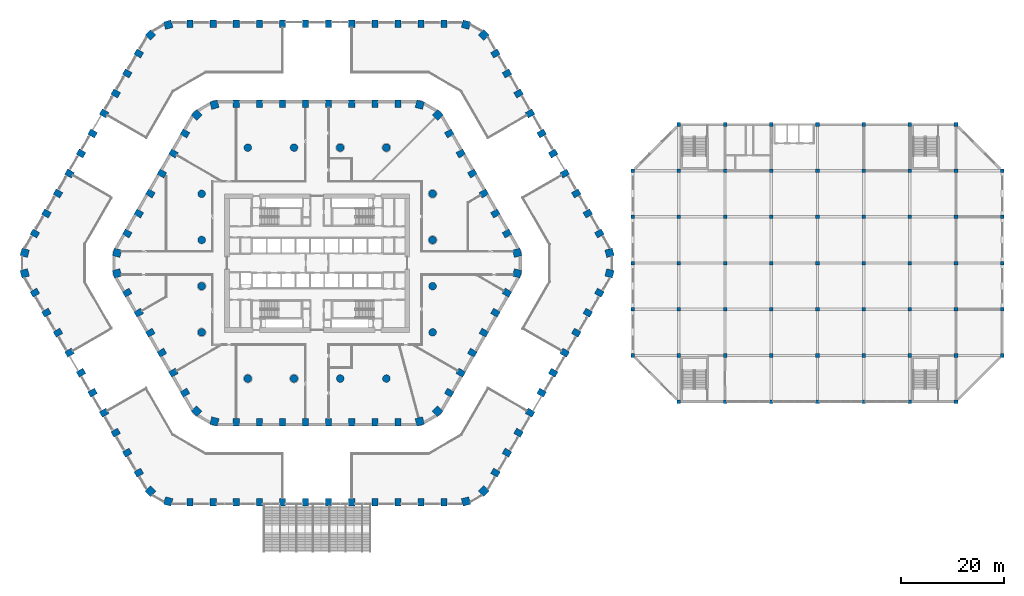
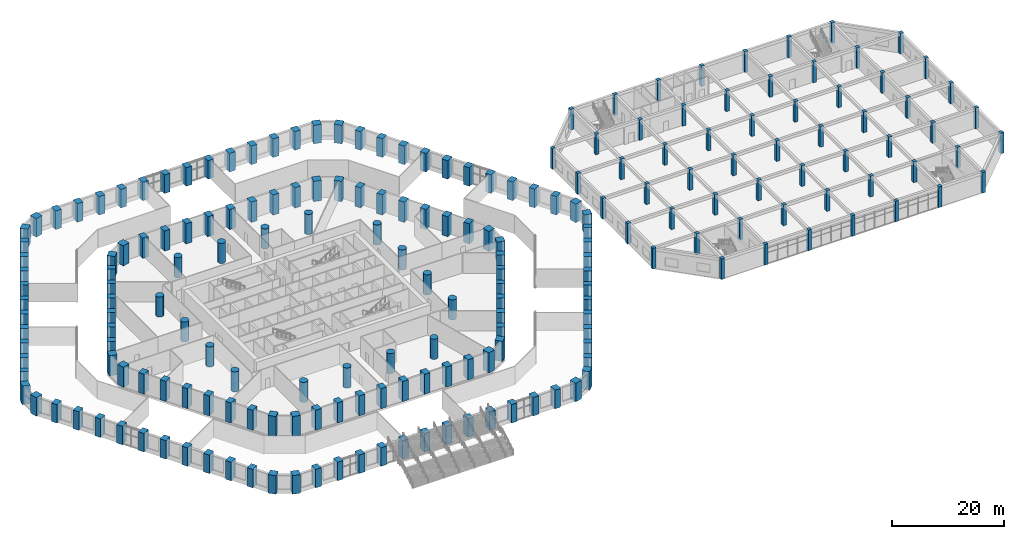
# One storey, part 1 of 42: 203 columns.
"""IFC4 building model written with IfcOpenShell, lengths in metres."""

from ifc_helpers import new_model, si_unit, direction, frame, origin, origin_2d, place, context, subcontext, project, spatial, rectangle, circle, extrude, material, material_profile, profile_set, type_object, element, save


model = new_model("IFC4")

# Units and contexts
model_context = context("Model", 3, precision=1e-05, world=origin(), true_north=direction((0.0, 1.0)))
body_context = subcontext(model_context, "Body", "Model", "MODEL_VIEW")
ifc_project = project(units=[si_unit("LENGTHUNIT", "METRE"), si_unit("AREAUNIT", "SQUARE_METRE"), si_unit("VOLUMEUNIT", "CUBIC_METRE"), si_unit("PLANEANGLEUNIT", "RADIAN"), si_unit("MASSUNIT", "GRAM", prefix="KILO")], contexts=[model_context])

# Site, building, storey
site_placement = place(None, origin())
site = spatial("IfcSite", under=ifc_project, at=site_placement, CompositionType="ELEMENT")
building_placement = place(site_placement, origin())
building = spatial("IfcBuilding", under=site, at=building_placement, Name="Dhurran Vertical Campus", CompositionType="ELEMENT")
storey_placement = place(building_placement, frame((0.0, 0.0, 6.0)))
storey = spatial("IfcBuildingStorey", under=building, at=storey_placement, Name="L01", CompositionType="ELEMENT", Elevation=6.0)

# Columns
ifc_material_1 = material(Name="Concrete C70/85", Category="concrete")
ifc_material_profile_1 = material_profile(ifc_material_1, rectangle(XDim=1.199951171875, YDim=1.5, at=origin_2d()), Name="RC 1200x1500")
ifc_profile_set_1 = profile_set([ifc_material_profile_1], Name="Concrete C70/85")
column_type_1 = type_object("IfcColumnType", Name="FR COL RC 1200x1500 C70/85", PredefinedType="COLUMN", material=ifc_profile_set_1)
for number, where, z_axis, x_axis, name in (
    (1, (-24.75, -46.618408203125, 0.0), (0.0, 0.0, 1.0), (1.0, 0.0, 0.0), "Perimeter pier PO0.01"),
    (2, (-20.25, -46.618408203125, 0.0), (0.0, 0.0, 1.0), (1.0, 0.0, 0.0), "Perimeter pier PO0.02"),
    (3, (-15.75, -46.618408203125, 0.0), (0.0, 0.0, 1.0), (1.0, 0.0, 0.0), "Perimeter pier PO0.03"),
    (4, (-11.25, -46.618408203125, 0.0), (0.0, 0.0, 1.0), (1.0, 0.0, 0.0), "Perimeter pier PO0.04"),
    (5, (-6.75, -46.618408203125, 0.0), (0.0, 0.0, 1.0), (1.0, 0.0, 0.0), "Perimeter pier PO0.05"),
    (6, (-2.25, -46.618408203125, 0.0), (0.0, 0.0, 1.0), (1.0, 0.0, 0.0), "Perimeter pier PO0.06"),
    (7, (2.25, -46.618408203125, 0.0), (0.0, 0.0, 1.0), (1.0, 0.0, 0.0), "Perimeter pier PO0.07"),
    (8, (6.75, -46.618408203125, 0.0), (0.0, 0.0, 1.0), (1.0, 0.0, 0.0), "Perimeter pier PO0.08"),
    (9, (11.25, -46.618408203125, 0.0), (0.0, 0.0, 1.0), (1.0, 0.0, 0.0), "Perimeter pier PO0.09"),
    (10, (15.75, -46.618408203125, 0.0), (0.0, 0.0, 1.0), (1.0, 0.0, 0.0), "Perimeter pier PO0.10"),
    (11, (20.25, -46.618408203125, 0.0), (0.0, 0.0, 1.0), (1.0, 0.0, 0.0), "Perimeter pier PO0.11"),
    (12, (24.75, -46.618408203125, 0.0), (0.0, 0.0, 1.0), (1.0, 0.0, 0.0), "Perimeter pier PO0.12"),
    (13, (34.74755859375, -40.84619140625, 0.0), (0.0, 0.0, 1.0), (0.5, 0.866025403784, 0.0), "Perimeter pier PO0.15"),
    (14, (36.99755859375, -36.948974609375, 0.0), (0.0, 0.0, 1.0), (0.5, 0.866025403784, 0.0), "Perimeter pier PO0.16"),
    (15, (39.24755859375, -33.052001953125, 0.0), (0.0, 0.0, 1.0), (0.5, 0.866025403784, 0.0), "Perimeter pier PO0.17"),
    (16, (41.49755859375, -29.15478515625, 0.0), (0.0, 0.0, 1.0), (0.5, 0.866025403784, 0.0), "Perimeter pier PO0.18"),
    (17, (43.74755859375, -25.2578125, 0.0), (0.0, 0.0, 1.0), (0.5, 0.866025403784, 0.0), "Perimeter pier PO0.19"),
    (18, (45.99755859375, -21.360595703125, 0.0), (0.0, 0.0, 1.0), (0.5, 0.866025403784, 0.0), "Perimeter pier PO0.20"),
    (19, (48.24755859375, -17.46337890625, 0.0), (0.0, 0.0, 1.0), (0.5, 0.866025403784, 0.0), "Perimeter pier PO0.21"),
    (20, (50.49755859375, -13.56640625, 0.0), (0.0, 0.0, 1.0), (0.5, 0.866025403784, 0.0), "Perimeter pier PO0.22"),
    (21, (52.74755859375, -9.669189453125, 0.0), (0.0, 0.0, 1.0), (0.5, 0.866025403784, 0.0), "Perimeter pier PO0.23"),
    (22, (54.99755859375, -5.772216796875, 0.0), (0.0, 0.0, 1.0), (0.5, 0.866025403784, 0.0), "Perimeter pier PO0.24"),
    (23, (54.99755859375, 5.772216796875, 0.0), (0.0, 0.0, 1.0), (-0.5, 0.866025403784, 0.0), "Perimeter pier PO0.27"),
    (24, (52.74755859375, 9.669189453125, 0.0), (0.0, 0.0, 1.0), (-0.5, 0.866025403784, 0.0), "Perimeter pier PO0.28"),
    (25, (50.49755859375, 13.56640625, 0.0), (0.0, 0.0, 1.0), (-0.5, 0.866025403784, 0.0), "Perimeter pier PO0.29"),
    (26, (48.24755859375, 17.46337890625, 0.0), (0.0, 0.0, 1.0), (-0.5, 0.866025403784, 0.0), "Perimeter pier PO0.30"),
    (27, (45.99755859375, 21.360595703125, 0.0), (0.0, 0.0, 1.0), (-0.5, 0.866025403784, 0.0), "Perimeter pier PO0.31"),
    (28, (43.74755859375, 25.2578125, 0.0), (0.0, 0.0, 1.0), (-0.5, 0.866025403784, 0.0), "Perimeter pier PO0.32"),
    (29, (41.49755859375, 29.15478515625, 0.0), (0.0, 0.0, 1.0), (-0.5, 0.866025403784, 0.0), "Perimeter pier PO0.33"),
    (30, (39.24755859375, 33.052001953125, 0.0), (0.0, 0.0, 1.0), (-0.5, 0.866025403784, 0.0), "Perimeter pier PO0.34"),
    (31, (36.99755859375, 36.948974609375, 0.0), (0.0, 0.0, 1.0), (-0.5, 0.866025403784, 0.0), "Perimeter pier PO0.35"),
    (32, (34.74755859375, 40.84619140625, 0.0), (0.0, 0.0, 1.0), (-0.5, 0.866025403784, 0.0), "Perimeter pier PO0.36"),
    (33, (24.75, 46.618408203125, 0.0), (0.0, 0.0, 1.0), (-1.0, 0.0, 0.0), "Perimeter pier PO0.39"),
    (34, (20.25, 46.618408203125, 0.0), (0.0, 0.0, 1.0), (-1.0, 0.0, 0.0), "Perimeter pier PO0.40"),
    (35, (15.75, 46.618408203125, 0.0), (0.0, 0.0, 1.0), (-1.0, 0.0, 0.0), "Perimeter pier PO0.41"),
    (36, (11.25, 46.618408203125, 0.0), (0.0, 0.0, 1.0), (-1.0, 0.0, 0.0), "Perimeter pier PO0.42"),
    (37, (6.75, 46.618408203125, 0.0), (0.0, 0.0, 1.0), (-1.0, 0.0, 0.0), "Perimeter pier PO0.43"),
    (38, (2.25, 46.618408203125, 0.0), (0.0, 0.0, 1.0), (-1.0, 0.0, 0.0), "Perimeter pier PO0.44"),
    (39, (-2.25, 46.618408203125, 0.0), (0.0, 0.0, 1.0), (-1.0, 0.0, 0.0), "Perimeter pier PO0.45"),
    (40, (-6.75, 46.618408203125, 0.0), (0.0, 0.0, 1.0), (-1.0, 0.0, 0.0), "Perimeter pier PO0.46"),
    (41, (-11.25, 46.618408203125, 0.0), (0.0, 0.0, 1.0), (-1.0, 0.0, 0.0), "Perimeter pier PO0.47"),
    (42, (-15.75, 46.618408203125, 0.0), (0.0, 0.0, 1.0), (-1.0, 0.0, 0.0), "Perimeter pier PO0.48"),
    (43, (-20.25, 46.618408203125, 0.0), (0.0, 0.0, 1.0), (-1.0, 0.0, 0.0), "Perimeter pier PO0.49"),
    (44, (-24.75, 46.618408203125, 0.0), (0.0, 0.0, 1.0), (-1.0, 0.0, 0.0), "Perimeter pier PO0.50"),
    (45, (-34.74755859375, 40.84619140625, 0.0), (0.0, 0.0, 1.0), (-0.5, -0.866025403784, 0.0), "Perimeter pier PO0.53"),
    (46, (-36.99755859375, 36.948974609375, 0.0), (0.0, 0.0, 1.0), (-0.5, -0.866025403784, 0.0), "Perimeter pier PO0.54"),
    (47, (-39.24755859375, 33.052001953125, 0.0), (0.0, 0.0, 1.0), (-0.5, -0.866025403784, 0.0), "Perimeter pier PO0.55"),
    (48, (-41.49755859375, 29.15478515625, 0.0), (0.0, 0.0, 1.0), (-0.5, -0.866025403784, 0.0), "Perimeter pier PO0.56"),
    (49, (-43.74755859375, 25.2578125, 0.0), (0.0, 0.0, 1.0), (-0.5, -0.866025403784, 0.0), "Perimeter pier PO0.57"),
    (50, (-45.99755859375, 21.360595703125, 0.0), (0.0, 0.0, 1.0), (-0.5, -0.866025403784, 0.0), "Perimeter pier PO0.58"),
    (51, (-48.24755859375, 17.46337890625, 0.0), (0.0, 0.0, 1.0), (-0.5, -0.866025403784, 0.0), "Perimeter pier PO0.59"),
    (52, (-50.49755859375, 13.56640625, 0.0), (0.0, 0.0, 1.0), (-0.5, -0.866025403784, 0.0), "Perimeter pier PO0.60"),
    (53, (-52.74755859375, 9.669189453125, 0.0), (0.0, 0.0, 1.0), (-0.5, -0.866025403784, 0.0), "Perimeter pier PO0.61"),
    (54, (-54.99755859375, 5.772216796875, 0.0), (0.0, 0.0, 1.0), (-0.5, -0.866025403784, 0.0), "Perimeter pier PO0.62"),
    (55, (-54.99755859375, -5.772216796875, 0.0), (0.0, 0.0, 1.0), (0.5, -0.866025403784, 0.0), "Perimeter pier PO0.65"),
    (56, (-52.74755859375, -9.669189453125, 0.0), (0.0, 0.0, 1.0), (0.5, -0.866025403784, 0.0), "Perimeter pier PO0.66"),
    (57, (-50.49755859375, -13.56640625, 0.0), (0.0, 0.0, 1.0), (0.5, -0.866025403784, 0.0), "Perimeter pier PO0.67"),
    (58, (-48.24755859375, -17.46337890625, 0.0), (0.0, 0.0, 1.0), (0.5, -0.866025403784, 0.0), "Perimeter pier PO0.68"),
    (59, (-45.99755859375, -21.360595703125, 0.0), (0.0, 0.0, 1.0), (0.5, -0.866025403784, 0.0), "Perimeter pier PO0.69"),
    (60, (-43.74755859375, -25.2578125, 0.0), (0.0, 0.0, 1.0), (0.5, -0.866025403784, 0.0), "Perimeter pier PO0.70"),
    (61, (-41.49755859375, -29.15478515625, 0.0), (0.0, 0.0, 1.0), (0.5, -0.866025403784, 0.0), "Perimeter pier PO0.71"),
    (62, (-39.24755859375, -33.052001953125, 0.0), (0.0, 0.0, 1.0), (0.5, -0.866025403784, 0.0), "Perimeter pier PO0.72"),
    (63, (-36.99755859375, -36.948974609375, 0.0), (0.0, 0.0, 1.0), (0.5, -0.866025403784, 0.0), "Perimeter pier PO0.73"),
    (64, (-34.74755859375, -40.84619140625, 0.0), (0.0, 0.0, 1.0), (0.5, -0.866025403784, 0.0), "Perimeter pier PO0.74"),
):
    element("IfcColumn", number, at=place(storey_placement, frame(where, z_axis=z_axis, x_axis=x_axis)), inside=storey, type_object=column_type_1, Name=name, PredefinedType="COLUMN", context=body_context, shape_type="SweptSolid", body=[
        extrude(rectangle(XDim=1.199951171875, YDim=1.5, at=origin_2d()), origin(), (0.0, 0.0, 1.0), 4.050048828125),
    ])
for number, where, z_axis, x_axis, name in (
    (65, (-15.75, -31.02978515625, 0.0), (0.0, 0.0, 1.0), (1.0, 0.0, 0.0), "Perimeter pier PP0.01"),
    (66, (-11.25, -31.02978515625, 0.0), (0.0, 0.0, 1.0), (1.0, 0.0, 0.0), "Perimeter pier PP0.02"),
    (67, (-6.75, -31.02978515625, 0.0), (0.0, 0.0, 1.0), (1.0, 0.0, 0.0), "Perimeter pier PP0.03"),
    (68, (-2.25, -31.02978515625, 0.0), (0.0, 0.0, 1.0), (1.0, 0.0, 0.0), "Perimeter pier PP0.04"),
    (69, (2.25, -31.02978515625, 0.0), (0.0, 0.0, 1.0), (1.0, 0.0, 0.0), "Perimeter pier PP0.05"),
    (70, (6.75, -31.02978515625, 0.0), (0.0, 0.0, 1.0), (1.0, 0.0, 0.0), "Perimeter pier PP0.06"),
    (71, (11.25, -31.02978515625, 0.0), (0.0, 0.0, 1.0), (1.0, 0.0, 0.0), "Perimeter pier PP0.07"),
    (72, (15.75, -31.02978515625, 0.0), (0.0, 0.0, 1.0), (1.0, 0.0, 0.0), "Perimeter pier PP0.08"),
    (73, (25.74755859375, -25.2578125, 0.0), (0.0, 0.0, 1.0), (0.5, 0.866025403784, 0.0), "Perimeter pier PP0.11"),
    (74, (27.99755859375, -21.360595703125, 0.0), (0.0, 0.0, 1.0), (0.5, 0.866025403784, 0.0), "Perimeter pier PP0.12"),
    (75, (30.24755859375, -17.46337890625, 0.0), (0.0, 0.0, 1.0), (0.5, 0.866025403784, 0.0), "Perimeter pier PP0.13"),
    (76, (32.49755859375, -13.56640625, 0.0), (0.0, 0.0, 1.0), (0.5, 0.866025403784, 0.0), "Perimeter pier PP0.14"),
    (77, (34.74755859375, -9.669189453125, 0.0), (0.0, 0.0, 1.0), (0.5, 0.866025403784, 0.0), "Perimeter pier PP0.15"),
    (78, (36.99755859375, -5.772216796875, 0.0), (0.0, 0.0, 1.0), (0.5, 0.866025403784, 0.0), "Perimeter pier PP0.16"),
    (79, (36.99755859375, 5.772216796875, 0.0), (0.0, 0.0, 1.0), (-0.5, 0.866025403784, 0.0), "Perimeter pier PP0.19"),
    (80, (34.74755859375, 9.669189453125, 0.0), (0.0, 0.0, 1.0), (-0.5, 0.866025403784, 0.0), "Perimeter pier PP0.20"),
    (81, (32.49755859375, 13.56640625, 0.0), (0.0, 0.0, 1.0), (-0.5, 0.866025403784, 0.0), "Perimeter pier PP0.21"),
    (82, (30.24755859375, 17.46337890625, 0.0), (0.0, 0.0, 1.0), (-0.5, 0.866025403784, 0.0), "Perimeter pier PP0.22"),
    (83, (27.99755859375, 21.360595703125, 0.0), (0.0, 0.0, 1.0), (-0.5, 0.866025403784, 0.0), "Perimeter pier PP0.23"),
    (84, (25.74755859375, 25.2578125, 0.0), (0.0, 0.0, 1.0), (-0.5, 0.866025403784, 0.0), "Perimeter pier PP0.24"),
    (85, (15.75, 31.02978515625, 0.0), (0.0, 0.0, 1.0), (-1.0, 0.0, 0.0), "Perimeter pier PP0.27"),
    (86, (11.25, 31.02978515625, 0.0), (0.0, 0.0, 1.0), (-1.0, 0.0, 0.0), "Perimeter pier PP0.28"),
    (87, (6.75, 31.02978515625, 0.0), (0.0, 0.0, 1.0), (-1.0, 0.0, 0.0), "Perimeter pier PP0.29"),
    (88, (2.25, 31.02978515625, 0.0), (0.0, 0.0, 1.0), (-1.0, 0.0, 0.0), "Perimeter pier PP0.30"),
    (89, (-2.25, 31.02978515625, 0.0), (0.0, 0.0, 1.0), (-1.0, 0.0, 0.0), "Perimeter pier PP0.31"),
    (90, (-6.75, 31.02978515625, 0.0), (0.0, 0.0, 1.0), (-1.0, 0.0, 0.0), "Perimeter pier PP0.32"),
    (91, (-11.25, 31.02978515625, 0.0), (0.0, 0.0, 1.0), (-1.0, 0.0, 0.0), "Perimeter pier PP0.33"),
    (92, (-15.75, 31.02978515625, 0.0), (0.0, 0.0, 1.0), (-1.0, 0.0, 0.0), "Perimeter pier PP0.34"),
    (93, (-25.74755859375, 25.2578125, 0.0), (0.0, 0.0, 1.0), (-0.5, -0.866025403784, 0.0), "Perimeter pier PP0.37"),
    (94, (-27.99755859375, 21.360595703125, 0.0), (0.0, 0.0, 1.0), (-0.5, -0.866025403784, 0.0), "Perimeter pier PP0.38"),
    (95, (-30.24755859375, 17.46337890625, 0.0), (0.0, 0.0, 1.0), (-0.5, -0.866025403784, 0.0), "Perimeter pier PP0.39"),
    (96, (-32.49755859375, 13.56640625, 0.0), (0.0, 0.0, 1.0), (-0.5, -0.866025403784, 0.0), "Perimeter pier PP0.40"),
    (97, (-34.74755859375, 9.669189453125, 0.0), (0.0, 0.0, 1.0), (-0.5, -0.866025403784, 0.0), "Perimeter pier PP0.41"),
    (98, (-36.99755859375, 5.772216796875, 0.0), (0.0, 0.0, 1.0), (-0.5, -0.866025403784, 0.0), "Perimeter pier PP0.42"),
    (99, (-36.99755859375, -5.772216796875, 0.0), (0.0, 0.0, 1.0), (0.5, -0.866025403784, 0.0), "Perimeter pier PP0.45"),
    (100, (-34.74755859375, -9.669189453125, 0.0), (0.0, 0.0, 1.0), (0.5, -0.866025403784, 0.0), "Perimeter pier PP0.46"),
    (101, (-32.49755859375, -13.56640625, 0.0), (0.0, 0.0, 1.0), (0.5, -0.866025403784, 0.0), "Perimeter pier PP0.47"),
    (102, (-30.24755859375, -17.46337890625, 0.0), (0.0, 0.0, 1.0), (0.5, -0.866025403784, 0.0), "Perimeter pier PP0.48"),
    (103, (-27.99755859375, -21.360595703125, 0.0), (0.0, 0.0, 1.0), (0.5, -0.866025403784, 0.0), "Perimeter pier PP0.49"),
    (104, (-25.74755859375, -25.2578125, 0.0), (0.0, 0.0, 1.0), (0.5, -0.866025403784, 0.0), "Perimeter pier PP0.50"),
):
    element("IfcColumn", number, at=place(storey_placement, frame(where, z_axis=z_axis, x_axis=x_axis)), inside=storey, type_object=column_type_1, Name=name, PredefinedType="COLUMN", context=body_context, shape_type="SweptSolid", body=[
        extrude(rectangle(XDim=1.199951171875, YDim=1.5, at=origin_2d()), origin(), (0.0, 0.0, 1.0), 4.39990234375),
    ])
ifc_material_2 = material(Name="Concrete C70/85", Category="concrete")
ifc_material_profile_2 = material_profile(ifc_material_2, rectangle(XDim=1.5, YDim=1.5, at=origin_2d()), Name="RC 1500x1500")
ifc_profile_set_2 = profile_set([ifc_material_profile_2], Name="Concrete C70/85")
column_type_2 = type_object("IfcColumnType", Name="FR COL RC 1500x1500 C70/85", PredefinedType="COLUMN", material=ifc_profile_set_2)
for number, where, z_axis, x_axis, name in (
    (105, (-29.00390625, -46.44970703125, 0.0), (0.0, 0.0, 1.0), (0.965925826289, -0.258819045103, 0.0), "Perimeter pier PO0.00"),
    (106, (29.00390625, -46.44970703125, 0.0), (0.0, 0.0, 1.0), (0.965925826289, 0.258819045103, 0.0), "Perimeter pier PO0.13"),
    (107, (32.474609375, -44.44580078125, 0.0), (0.0, 0.0, 1.0), (0.707106781187, 0.707106781187, 0.0), "Perimeter pier PO0.14"),
    (108, (56.978515625, -2.00390625, 0.0), (0.0, 0.0, 1.0), (0.258819045103, 0.965925826289, 0.0), "Perimeter pier PO0.25"),
    (109, (56.978515625, 2.00390625, 0.0), (0.0, 0.0, 1.0), (-0.258819045103, 0.965925826289, 0.0), "Perimeter pier PO0.26"),
    (110, (32.474609375, 44.44580078125, 0.0), (0.0, 0.0, 1.0), (-0.707106781187, 0.707106781187, 0.0), "Perimeter pier PO0.37"),
    (111, (29.00390625, 46.44970703125, 0.0), (0.0, 0.0, 1.0), (-0.965925826289, 0.258819045103, 0.0), "Perimeter pier PO0.38"),
    (112, (-29.00390625, 46.44970703125, 0.0), (0.0, 0.0, 1.0), (-0.965925826289, -0.258819045103, 0.0), "Perimeter pier PO0.51"),
    (113, (-32.474609375, 44.44580078125, 0.0), (0.0, 0.0, 1.0), (-0.707106781187, -0.707106781187, 0.0), "Perimeter pier PO0.52"),
    (114, (-56.978515625, 2.00390625, 0.0), (0.0, 0.0, 1.0), (-0.258819045103, -0.965925826289, 0.0), "Perimeter pier PO0.63"),
    (115, (-56.978515625, -2.00390625, 0.0), (0.0, 0.0, 1.0), (0.258819045103, -0.965925826289, 0.0), "Perimeter pier PO0.64"),
    (116, (-32.474609375, -44.44580078125, 0.0), (0.0, 0.0, 1.0), (0.707106781187, -0.707106781187, 0.0), "Perimeter pier PO0.75"),
):
    element("IfcColumn", number, at=place(storey_placement, frame(where, z_axis=z_axis, x_axis=x_axis)), inside=storey, type_object=column_type_2, Name=name, PredefinedType="COLUMN", context=body_context, shape_type="SweptSolid", body=[
        extrude(rectangle(XDim=1.5, YDim=1.5, at=origin_2d()), origin(), (0.0, 0.0, 1.0), 4.050048828125),
    ])
for number, where, z_axis, x_axis, name in (
    (117, (-20.00390625, -30.861083984375, 0.0), (0.0, 0.0, 1.0), (0.965925826289, -0.258819045103, 0.0), "Perimeter pier PP0.00"),
    (118, (20.00390625, -30.861083984375, 0.0), (0.0, 0.0, 1.0), (0.965925826289, 0.258819045103, 0.0), "Perimeter pier PP0.09"),
    (119, (23.474609375, -28.857421875, 0.0), (0.0, 0.0, 1.0), (0.707106781187, 0.707106781187, 0.0), "Perimeter pier PP0.10"),
    (120, (38.978515625, -2.00390625, 0.0), (0.0, 0.0, 1.0), (0.258819045103, 0.965925826289, 0.0), "Perimeter pier PP0.17"),
    (121, (38.978515625, 2.00390625, 0.0), (0.0, 0.0, 1.0), (-0.258819045103, 0.965925826289, 0.0), "Perimeter pier PP0.18"),
    (122, (23.474609375, 28.857421875, 0.0), (0.0, 0.0, 1.0), (-0.707106781187, 0.707106781187, 0.0), "Perimeter pier PP0.25"),
    (123, (20.00390625, 30.861083984375, 0.0), (0.0, 0.0, 1.0), (-0.965925826289, 0.258819045103, 0.0), "Perimeter pier PP0.26"),
    (124, (-20.00390625, 30.861083984375, 0.0), (0.0, 0.0, 1.0), (-0.965925826289, -0.258819045103, 0.0), "Perimeter pier PP0.35"),
    (125, (-23.474609375, 28.857421875, 0.0), (0.0, 0.0, 1.0), (-0.707106781187, -0.707106781187, 0.0), "Perimeter pier PP0.36"),
    (126, (-38.978515625, 2.00390625, 0.0), (0.0, 0.0, 1.0), (-0.258819045103, -0.965925826289, 0.0), "Perimeter pier PP0.43"),
    (127, (-38.978515625, -2.00390625, 0.0), (0.0, 0.0, 1.0), (0.258819045103, -0.965925826289, 0.0), "Perimeter pier PP0.44"),
    (128, (-23.474609375, -28.857421875, 0.0), (0.0, 0.0, 1.0), (0.707106781187, -0.707106781187, 0.0), "Perimeter pier PP0.51"),
):
    element("IfcColumn", number, at=place(storey_placement, frame(where, z_axis=z_axis, x_axis=x_axis)), inside=storey, type_object=column_type_2, Name=name, PredefinedType="COLUMN", context=body_context, shape_type="SweptSolid", body=[
        extrude(rectangle(XDim=1.5, YDim=1.5, at=origin_2d()), origin(), (0.0, 0.0, 1.0), 4.39990234375),
    ])
ifc_material_3 = material(Name="Concrete C70/85", Category="concrete")
ifc_material_profile_3 = material_profile(ifc_material_3, circle(Radius=0.75, at=origin_2d()), Name="RCC D1500")
ifc_profile_set_3 = profile_set([ifc_material_profile_3], Name="Concrete C70/85")
column_type_3 = type_object("IfcColumnType", Name="FR COL RCC D1500 C70/85", PredefinedType="COLUMN", material=ifc_profile_set_3)
for number, where, z_axis, x_axis, name in (
    (129, (-22.5, -13.5, 0.0), (0.0, 0.0, 1.0), (1.0, 0.0, 0.0), "Inner column IC0-D4"),
    (130, (-22.5, -4.5, 0.0), (0.0, 0.0, 1.0), (1.0, 0.0, 0.0), "Inner column IC0-D5"),
    (131, (-22.5, 4.5, 0.0), (0.0, 0.0, 1.0), (1.0, 0.0, 0.0), "Inner column IC0-D6"),
    (132, (-22.5, 13.5, 0.0), (0.0, 0.0, 1.0), (1.0, 0.0, 0.0), "Inner column IC0-D7"),
    (133, (-13.5, -22.5, 0.0), (0.0, 0.0, 1.0), (1.0, 0.0, 0.0), "Inner column IC0-E3"),
    (134, (-13.5, 22.5, 0.0), (0.0, 0.0, 1.0), (1.0, 0.0, 0.0), "Inner column IC0-E8"),
    (135, (-4.5, -22.5, 0.0), (0.0, 0.0, 1.0), (1.0, 0.0, 0.0), "Inner column IC0-F3"),
    (136, (-4.5, 22.5, 0.0), (0.0, 0.0, 1.0), (1.0, 0.0, 0.0), "Inner column IC0-F8"),
    (137, (4.5, -22.5, 0.0), (0.0, 0.0, 1.0), (1.0, 0.0, 0.0), "Inner column IC0-G3"),
    (138, (4.5, 22.5, 0.0), (0.0, 0.0, 1.0), (1.0, 0.0, 0.0), "Inner column IC0-G8"),
    (139, (13.5, -22.5, 0.0), (0.0, 0.0, 1.0), (1.0, 0.0, 0.0), "Inner column IC0-H3"),
    (140, (13.5, 22.5, 0.0), (0.0, 0.0, 1.0), (1.0, 0.0, 0.0), "Inner column IC0-H8"),
    (141, (22.5, -13.5, 0.0), (0.0, 0.0, 1.0), (1.0, 0.0, 0.0), "Inner column IC0-J4"),
    (142, (22.5, -4.5, 0.0), (0.0, 0.0, 1.0), (1.0, 0.0, 0.0), "Inner column IC0-J5"),
    (143, (22.5, 4.5, 0.0), (0.0, 0.0, 1.0), (1.0, 0.0, 0.0), "Inner column IC0-J6"),
    (144, (22.5, 13.5, 0.0), (0.0, 0.0, 1.0), (1.0, 0.0, 0.0), "Inner column IC0-J7"),
):
    element("IfcColumn", number, at=place(storey_placement, frame(where, z_axis=z_axis, x_axis=x_axis)), inside=storey, type_object=column_type_3, Name=name, PredefinedType="COLUMN", context=body_context, shape_type="SweptSolid", body=[
        extrude(circle(Radius=0.75, at=origin_2d()), origin(), (0.0, 0.0, 1.0), 4.39990234375),
    ])
ifc_material_4 = material(Name="Concrete C50/60", Category="concrete")
ifc_material_profile_4 = material_profile(ifc_material_4, rectangle(XDim=0.699951171875, YDim=0.699951171875, at=origin_2d()), Name="hl-column 700x700 C50/60")
ifc_profile_set_4 = profile_set([ifc_material_profile_4], Name="Concrete C50/60")
column_type_4 = type_object("IfcColumnType", Name="hl-column 700x700 C50/60", PredefinedType="COLUMN", material=ifc_profile_set_4)
for number, where, z_axis, x_axis, name in (
    (145, (70.5, -27.0, 0.0), (0.0, 0.0, 1.0), (1.0, 0.0, 0.0), "Hall column HB1 L01"),
    (146, (79.5, -27.0, 0.0), (0.0, 0.0, 1.0), (1.0, 0.0, 0.0), "Hall column HC1 L01"),
    (147, (88.5, -27.0, 0.0), (0.0, 0.0, 1.0), (1.0, 0.0, 0.0), "Hall column HD1 L01"),
    (148, (97.5, -27.0, 0.0), (0.0, 0.0, 1.0), (1.0, 0.0, 0.0), "Hall column HE1 L01"),
    (149, (106.5, -27.0, 0.0), (0.0, 0.0, 1.0), (1.0, 0.0, 0.0), "Hall column HF1 L01"),
    (150, (115.5, -27.0, 0.0), (0.0, 0.0, 1.0), (1.0, 0.0, 0.0), "Hall column HG1 L01"),
    (151, (124.5, -27.0, 0.0), (0.0, 0.0, 1.0), (1.0, 0.0, 0.0), "Hall column HH1 L01"),
    (152, (61.5, -18.0, 0.0), (0.0, 0.0, 1.0), (1.0, 0.0, 0.0), "Hall column HA2 L01"),
    (153, (70.5, -18.0, 0.0), (0.0, 0.0, 1.0), (1.0, 0.0, 0.0), "Hall column HB2 L01"),
    (154, (79.5, -18.0, 0.0), (0.0, 0.0, 1.0), (1.0, 0.0, 0.0), "Hall column HC2 L01"),
    (155, (88.5, -18.0, 0.0), (0.0, 0.0, 1.0), (1.0, 0.0, 0.0), "Hall column HD2 L01"),
    (156, (97.5, -18.0, 0.0), (0.0, 0.0, 1.0), (1.0, 0.0, 0.0), "Hall column HE2 L01"),
    (157, (106.5, -18.0, 0.0), (0.0, 0.0, 1.0), (1.0, 0.0, 0.0), "Hall column HF2 L01"),
    (158, (115.5, -18.0, 0.0), (0.0, 0.0, 1.0), (1.0, 0.0, 0.0), "Hall column HG2 L01"),
    (159, (124.5, -18.0, 0.0), (0.0, 0.0, 1.0), (1.0, 0.0, 0.0), "Hall column HH2 L01"),
    (160, (133.5, -18.0, 0.0), (0.0, 0.0, 1.0), (1.0, 0.0, 0.0), "Hall column HJ2 L01"),
    (161, (61.5, -9.0, 0.0), (0.0, 0.0, 1.0), (1.0, 0.0, 0.0), "Hall column HA3 L01"),
    (162, (70.5, -9.0, 0.0), (0.0, 0.0, 1.0), (1.0, 0.0, 0.0), "Hall column HB3 L01"),
    (163, (79.5, -9.0, 0.0), (0.0, 0.0, 1.0), (1.0, 0.0, 0.0), "Hall column HC3 L01"),
    (164, (88.5, -9.0, 0.0), (0.0, 0.0, 1.0), (1.0, 0.0, 0.0), "Hall column HD3 L01"),
    (165, (97.5, -9.0, 0.0), (0.0, 0.0, 1.0), (1.0, 0.0, 0.0), "Hall column HE3 L01"),
    (166, (106.5, -9.0, 0.0), (0.0, 0.0, 1.0), (1.0, 0.0, 0.0), "Hall column HF3 L01"),
    (167, (115.5, -9.0, 0.0), (0.0, 0.0, 1.0), (1.0, 0.0, 0.0), "Hall column HG3 L01"),
    (168, (124.5, -9.0, 0.0), (0.0, 0.0, 1.0), (1.0, 0.0, 0.0), "Hall column HH3 L01"),
    (169, (133.5, -9.0, 0.0), (0.0, 0.0, 1.0), (1.0, 0.0, 0.0), "Hall column HJ3 L01"),
    (170, (61.5, 0.0, 0.0), (0.0, 0.0, 1.0), (1.0, 0.0, 0.0), "Hall column HA4 L01"),
    (171, (70.5, 0.0, 0.0), (0.0, 0.0, 1.0), (1.0, 0.0, 0.0), "Hall column HB4 L01"),
    (172, (79.5, 0.0, 0.0), (0.0, 0.0, 1.0), (1.0, 0.0, 0.0), "Hall column HC4 L01"),
    (173, (88.5, 0.0, 0.0), (0.0, 0.0, 1.0), (1.0, 0.0, 0.0), "Hall column HD4 L01"),
    (174, (97.5, 0.0, 0.0), (0.0, 0.0, 1.0), (1.0, 0.0, 0.0), "Hall column HE4 L01"),
    (175, (106.5, 0.0, 0.0), (0.0, 0.0, 1.0), (1.0, 0.0, 0.0), "Hall column HF4 L01"),
    (176, (115.5, 0.0, 0.0), (0.0, 0.0, 1.0), (1.0, 0.0, 0.0), "Hall column HG4 L01"),
    (177, (124.5, 0.0, 0.0), (0.0, 0.0, 1.0), (1.0, 0.0, 0.0), "Hall column HH4 L01"),
    (178, (133.5, 0.0, 0.0), (0.0, 0.0, 1.0), (1.0, 0.0, 0.0), "Hall column HJ4 L01"),
    (179, (61.5, 9.0, 0.0), (0.0, 0.0, 1.0), (1.0, 0.0, 0.0), "Hall column HA5 L01"),
    (180, (70.5, 9.0, 0.0), (0.0, 0.0, 1.0), (1.0, 0.0, 0.0), "Hall column HB5 L01"),
    (181, (79.5, 9.0, 0.0), (0.0, 0.0, 1.0), (1.0, 0.0, 0.0), "Hall column HC5 L01"),
    (182, (88.5, 9.0, 0.0), (0.0, 0.0, 1.0), (1.0, 0.0, 0.0), "Hall column HD5 L01"),
    (183, (97.5, 9.0, 0.0), (0.0, 0.0, 1.0), (1.0, 0.0, 0.0), "Hall column HE5 L01"),
    (184, (106.5, 9.0, 0.0), (0.0, 0.0, 1.0), (1.0, 0.0, 0.0), "Hall column HF5 L01"),
    (185, (115.5, 9.0, 0.0), (0.0, 0.0, 1.0), (1.0, 0.0, 0.0), "Hall column HG5 L01"),
    (186, (124.5, 9.0, 0.0), (0.0, 0.0, 1.0), (1.0, 0.0, 0.0), "Hall column HH5 L01"),
    (187, (133.5, 9.0, 0.0), (0.0, 0.0, 1.0), (1.0, 0.0, 0.0), "Hall column HJ5 L01"),
    (188, (61.5, 18.0, 0.0), (0.0, 0.0, 1.0), (1.0, 0.0, 0.0), "Hall column HA6 L01"),
    (189, (70.5, 18.0, 0.0), (0.0, 0.0, 1.0), (1.0, 0.0, 0.0), "Hall column HB6 L01"),
    (190, (79.5, 18.0, 0.0), (0.0, 0.0, 1.0), (1.0, 0.0, 0.0), "Hall column HC6 L01"),
    (191, (88.5, 18.0, 0.0), (0.0, 0.0, 1.0), (1.0, 0.0, 0.0), "Hall column HD6 L01"),
    (192, (97.5, 18.0, 0.0), (0.0, 0.0, 1.0), (1.0, 0.0, 0.0), "Hall column HE6 L01"),
    (193, (106.5, 18.0, 0.0), (0.0, 0.0, 1.0), (1.0, 0.0, 0.0), "Hall column HF6 L01"),
    (194, (115.5, 18.0, 0.0), (0.0, 0.0, 1.0), (1.0, 0.0, 0.0), "Hall column HG6 L01"),
    (195, (124.5, 18.0, 0.0), (0.0, 0.0, 1.0), (1.0, 0.0, 0.0), "Hall column HH6 L01"),
    (196, (133.5, 18.0, 0.0), (0.0, 0.0, 1.0), (1.0, 0.0, 0.0), "Hall column HJ6 L01"),
    (197, (70.5, 27.0, 0.0), (0.0, 0.0, 1.0), (1.0, 0.0, 0.0), "Hall column HB7 L01"),
    (198, (79.5, 27.0, 0.0), (0.0, 0.0, 1.0), (1.0, 0.0, 0.0), "Hall column HC7 L01"),
    (199, (88.5, 27.0, 0.0), (0.0, 0.0, 1.0), (1.0, 0.0, 0.0), "Hall column HD7 L01"),
    (200, (97.5, 27.0, 0.0), (0.0, 0.0, 1.0), (1.0, 0.0, 0.0), "Hall column HE7 L01"),
    (201, (106.5, 27.0, 0.0), (0.0, 0.0, 1.0), (1.0, 0.0, 0.0), "Hall column HF7 L01"),
    (202, (115.5, 27.0, 0.0), (0.0, 0.0, 1.0), (1.0, 0.0, 0.0), "Hall column HG7 L01"),
    (203, (124.5, 27.0, 0.0), (0.0, 0.0, 1.0), (1.0, 0.0, 0.0), "Hall column HH7 L01"),
):
    element("IfcColumn", number, at=place(storey_placement, frame(where, z_axis=z_axis, x_axis=x_axis)), inside=storey, type_object=column_type_4, Name=name, PredefinedType="COLUMN", context=body_context, shape_type="SweptSolid", body=[
        extrude(rectangle(XDim=0.699951171875, YDim=0.699951171875, at=origin_2d()), origin(), (0.0, 0.0, 1.0), 4.52001953125),
    ])

save(model, "model.ifc")
